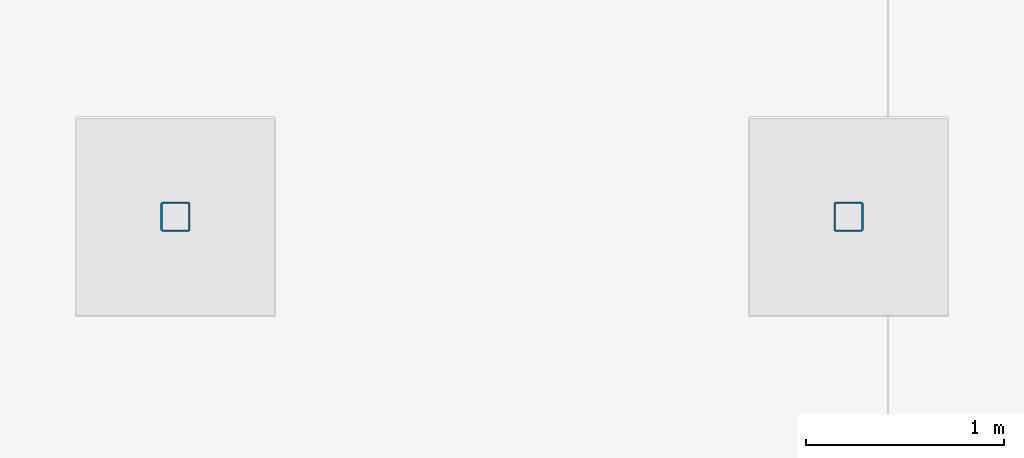
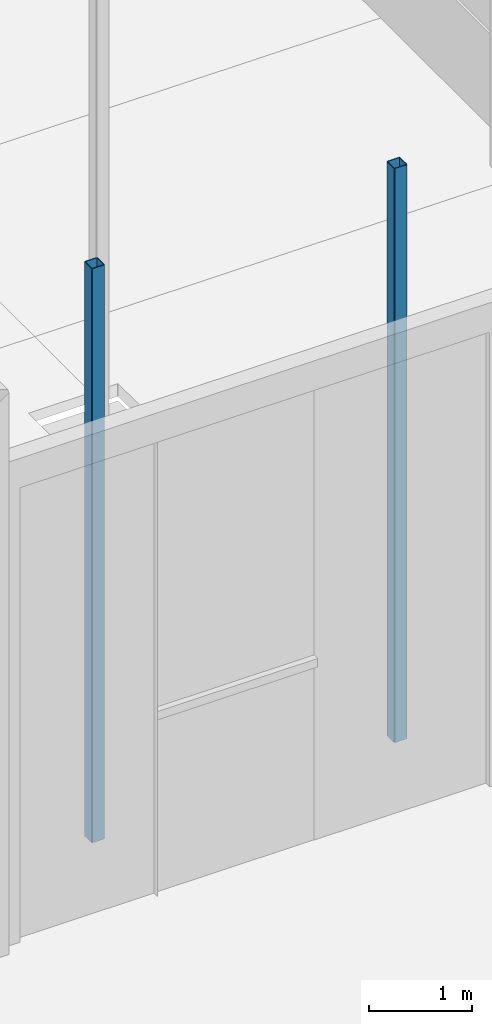
# One storey, part 8 of 95: 2 columns.
"""IFC4 building model written with IfcOpenShell, lengths in metres."""

from ifc_helpers import new_model, si_unit, direction, frame, origin, origin_2d, place, context, subcontext, project, spatial, hollow_rectangle, extrude, material, material_profile, profile_set, type_object, element, save


model = new_model("IFC4")

# Units and contexts
model_context = context("Model", 3, precision=1e-05, world=origin(), true_north=direction((0.0, 1.0)))
body_context = subcontext(model_context, "Body", "Model", "MODEL_VIEW")
ifc_project = project(units=[si_unit("LENGTHUNIT", "METRE"), si_unit("AREAUNIT", "SQUARE_METRE"), si_unit("VOLUMEUNIT", "CUBIC_METRE"), si_unit("PLANEANGLEUNIT", "RADIAN"), si_unit("MASSUNIT", "GRAM", prefix="KILO")], contexts=[model_context])

# Site, building, storey
site_placement = place(None, origin())
site = spatial("IfcSite", under=ifc_project, at=site_placement, CompositionType="ELEMENT")
building_placement = place(site_placement, origin())
building = spatial("IfcBuilding", under=site, at=building_placement, Name="Saffron Lane Theatres", CompositionType="ELEMENT")
storey_placement = place(building_placement, origin())
storey = spatial("IfcBuildingStorey", under=building, at=storey_placement, Name="L00", CompositionType="ELEMENT", Elevation=0.0)

# Columns
ifc_material = material(Name="Steel Grade 350", Category="steel")
ifc_material_profile = material_profile(ifc_material, hollow_rectangle(XDim=0.14990234375, YDim=0.14990234375, WallThickness=0.009033203125, InnerFilletRadius=0.00439453125, OuterFilletRadius=0.013427734375, at=origin_2d()))
ifc_profile_set = profile_set([ifc_material_profile], Name="Steel Grade 350")
column_type = type_object("IfcColumnType", Name="ST-CANOPY COLUMN 150x150x9 SHS", PredefinedType="COLUMN", material=ifc_profile_set)
for number, where, z_axis, x_axis, name in (
    (1, (56.39990234375, 31.60009765625, -0.199951171875), (0.0, 0.0, 1.0), (1.0, 0.0, 0.0), "CCW1"),
    (2, (59.800048828125, 31.60009765625, -0.199951171875), (0.0, 0.0, 1.0), (1.0, 0.0, 0.0), "CCE1"),
):
    element("IfcColumn", number, at=place(storey_placement, frame(where, z_axis=z_axis, x_axis=x_axis)), inside=storey, type_object=column_type, Name=name, PredefinedType="COLUMN", context=body_context, shape_type="SweptSolid", body=[
        extrude(hollow_rectangle(XDim=0.14990234375, YDim=0.14990234375, WallThickness=0.009033203125, InnerFilletRadius=0.00439453125, OuterFilletRadius=0.013427734375, at=origin_2d()), origin(), (0.0, 0.0, 1.0), 6.822021484375),
    ])

save(model, "model.ifc")
